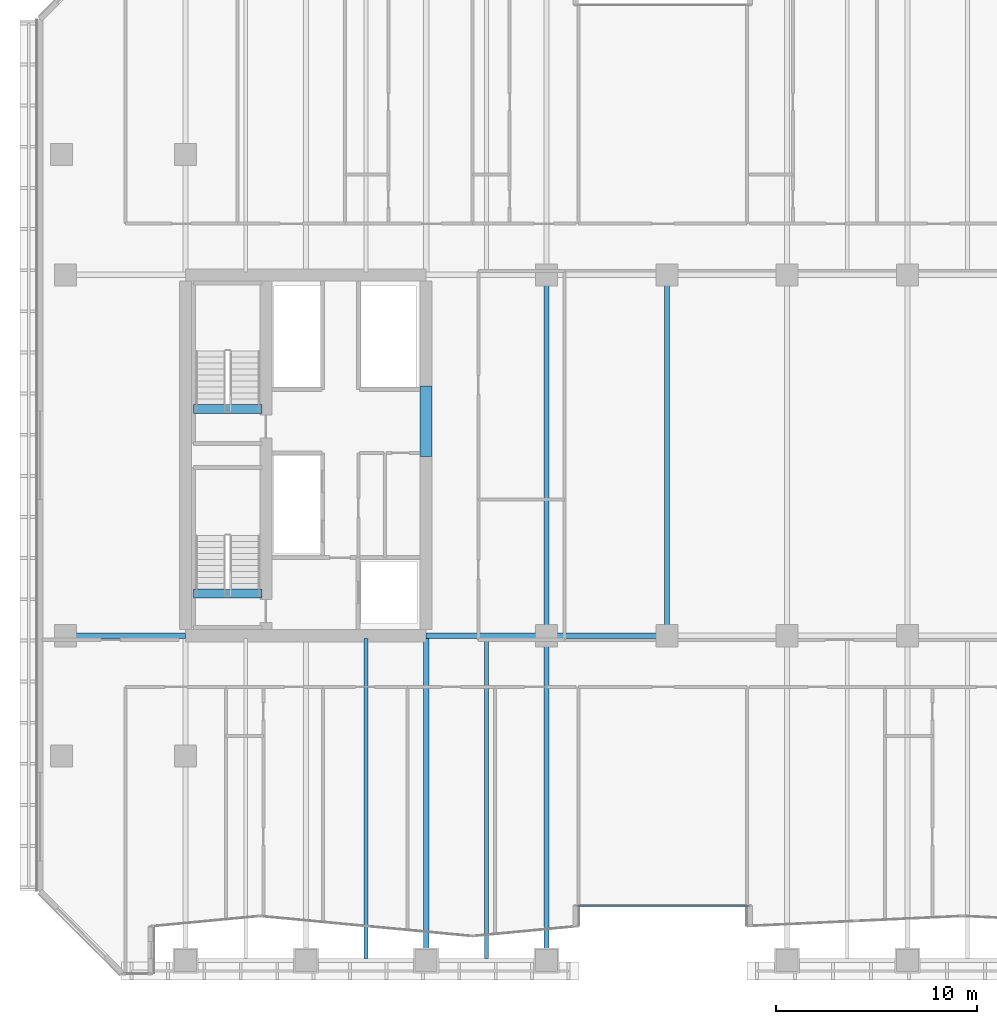
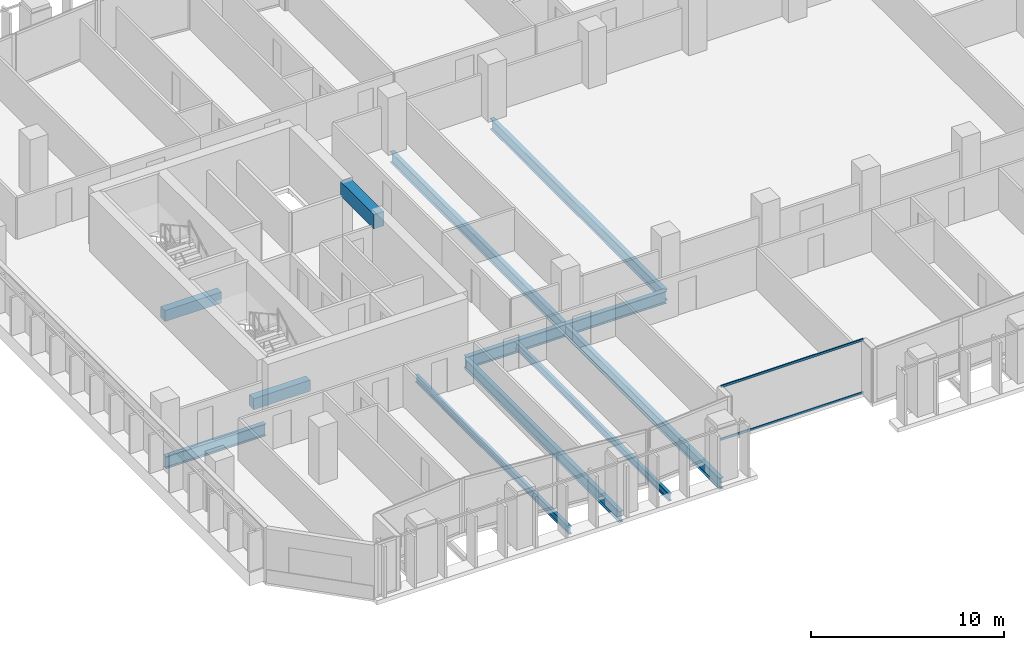
# One storey, part 4 of 32: 12 beams, 2 members, 1 element without a shape of its own.
"""IFC4 building model written with IfcOpenShell, lengths in metres."""

from ifc_helpers import new_model, si_unit, direction, frame, origin, origin_2d, place, context, subcontext, project, spatial, rectangle, hollow_rectangle, i_section, extrude, material, layer, layer_set, material_profile, profile_set, type_object, element, aggregate, save


model = new_model("IFC4")

# Units and contexts
model_context = context("Model", 3, precision=1e-05, world=origin(), true_north=direction((0.0, 1.0)))
body_context = subcontext(model_context, "Body", "Model", "MODEL_VIEW")
ifc_project = project(units=[si_unit("LENGTHUNIT", "METRE"), si_unit("AREAUNIT", "SQUARE_METRE"), si_unit("VOLUMEUNIT", "CUBIC_METRE"), si_unit("PLANEANGLEUNIT", "RADIAN"), si_unit("MASSUNIT", "GRAM", prefix="KILO")], contexts=[model_context])

# Site, building, storey
site_placement = place(None, origin())
site = spatial("IfcSite", under=ifc_project, at=site_placement, CompositionType="ELEMENT")
building_placement = place(site_placement, origin())
building = spatial("IfcBuilding", under=site, at=building_placement, Name="Tanjung Sevakor Pilgrim Tower", CompositionType="ELEMENT")
storey_placement = place(building_placement, frame((0.0, 0.0, 62.3701171875)))
storey = spatial("IfcBuildingStorey", under=building, at=storey_placement, Name="L17", CompositionType="ELEMENT", Elevation=62.3701171875)

# Beams
ifc_material_1 = material(Name="Steel S355J2", Category="steel")
ifc_material_profile_1 = material_profile(ifc_material_1, i_section(OverallWidth=0.26806640625, OverallDepth=0.769775390625, WebThickness=0.015625, FlangeThickness=0.025390625, FilletRadius=0.0166015625, at=origin_2d()))
ifc_profile_set_1 = profile_set([ifc_material_profile_1], Name="Steel S355J2")
beam_type_1 = type_object("IfcBeamType", Name="BM-B-G1-UB_762x267x197", PredefinedType="BEAM", material=ifc_profile_set_1)
for number, where, z_axis, x_axis, name in (
    (1, (18.0, 24.60009765625, -0.60498046875), (1.0, 0.0, 0.0), (0.0, 1.0, 0.0), "L17 Primary Floor Girder MAIN Y246-01"),
    (2, (36.0, 24.60009765625, -0.60498046875), (1.0, 0.0, 0.0), (0.0, 1.0, 0.0), "L17 Primary Floor Girder MAIN Y246-02"),
    (3, (42.0, 24.60009765625, -0.60498046875), (1.0, 0.0, 0.0), (0.0, 1.0, 0.0), "L17 Primary Floor Girder MAIN Y246-03"),
):
    element("IfcBeam", number, at=place(storey_placement, frame(where, z_axis=z_axis, x_axis=x_axis)), inside=storey, type_object=beam_type_1, Name=name, PredefinedType="BEAM", context=body_context, shape_type="SweptSolid", body=[
        extrude(i_section(OverallWidth=0.26806640625, OverallDepth=0.769775390625, WebThickness=0.015625, FlangeThickness=0.025390625, FilletRadius=0.0166015625, at=origin_2d()), origin(), (0.0, 0.0, 1.0), 6.0),
    ])
ifc_material_2 = material(Name="Steel S355J2", Category="steel")
ifc_material_profile_2 = material_profile(ifc_material_2, i_section(OverallWidth=0.25439453125, OverallDepth=0.6875, WebThickness=0.01318359375, FlangeThickness=0.02099609375, FilletRadius=0.01513671875, at=origin_2d()))
ifc_profile_set_2 = profile_set([ifc_material_profile_2], Name="Steel S355J2")
beam_type_2 = type_object("IfcBeamType", Name="BM-B-G2-UB_686x254x152", PredefinedType="BEAM", material=ifc_profile_set_2)
beam_1_placement = place(storey_placement, frame((36.0, 8.39990234375, -0.56396484375), z_axis=(0.0, 1.0, 0.0), x_axis=(-1.0, 0.0, 0.0)))
element("IfcBeam", 4, at=beam_1_placement, inside=storey, type_object=beam_type_2, Name="L17 MAIN Girder 009", PredefinedType="BEAM", context=body_context, shape_type="SweptSolid", body=[
    extrude(i_section(OverallWidth=0.25439453125, OverallDepth=0.6875, WebThickness=0.01318359375, FlangeThickness=0.02099609375, FilletRadius=0.01513671875, at=origin_2d()), origin(), (0.0, 0.0, 1.0), 16.066162109375),
])
beam_2_placement = place(storey_placement, frame((42.0, 8.39990234375, -0.56396484375), z_axis=(0.0, 1.0, 0.0), x_axis=(-1.0, 0.0, 0.0)))
element("IfcBeam", 5, at=beam_2_placement, inside=storey, type_object=beam_type_2, Name="L17 MAIN Girder 013", PredefinedType="BEAM", context=body_context, shape_type="SweptSolid", body=[
    extrude(i_section(OverallWidth=0.25439453125, OverallDepth=0.6875, WebThickness=0.01318359375, FlangeThickness=0.02099609375, FilletRadius=0.01513671875, at=origin_2d()), origin(), (0.0, 0.0, 1.0), 16.2001953125),
])
for number, where, z_axis, x_axis, name in (
    (6, (42.0, 24.60009765625, -0.56396484375), (0.0, 1.0, 0.0), (-1.0, 0.0, 0.0), "L17 MAIN Girder 014"),
    (7, (48.0, 24.60009765625, -0.56396484375), (0.0, 1.0, 0.0), (-1.0, 0.0, 0.0), "L17 MAIN Girder 016"),
):
    element("IfcBeam", number, at=place(storey_placement, frame(where, z_axis=z_axis, x_axis=x_axis)), inside=storey, type_object=beam_type_2, Name=name, PredefinedType="BEAM", context=body_context, shape_type="SweptSolid", body=[
        extrude(i_section(OverallWidth=0.25439453125, OverallDepth=0.6875, WebThickness=0.01318359375, FlangeThickness=0.02099609375, FilletRadius=0.01513671875, at=origin_2d()), origin(), (0.0, 0.0, 1.0), 18.0),
    ])
ifc_material_3 = material(Name="Steel S355J2", Category="steel")
ifc_material_profile_3 = material_profile(ifc_material_3, i_section(OverallWidth=0.19140625, OverallDepth=0.4599609375, WebThickness=0.010009765625, FlangeThickness=0.01611328125, FilletRadius=0.01025390625, at=origin_2d()))
ifc_profile_set_3 = profile_set([ifc_material_profile_3], Name="Steel S355J2")
beam_type_3 = type_object("IfcBeamType", Name="BM-B-J2-UB_457x191x82", PredefinedType="JOIST", material=ifc_profile_set_3)
for number, where, z_axis, x_axis, name in (
    (8, (33.0, 8.5, -0.4501953125), (0.0, 1.0, 0.0), (-1.0, 0.0, 0.0), "L17 MAIN Joist 007"),
    (9, (39.0, 8.5, -0.4501953125), (0.0, 1.0, 0.0), (-1.0, 0.0, 0.0), "L17 MAIN Joist 011"),
):
    element("IfcBeam", number, at=place(storey_placement, frame(where, z_axis=z_axis, x_axis=x_axis)), inside=storey, type_object=beam_type_3, Name=name, PredefinedType="JOIST", context=body_context, shape_type="SweptSolid", body=[
        extrude(i_section(OverallWidth=0.19140625, OverallDepth=0.4599609375, WebThickness=0.010009765625, FlangeThickness=0.01611328125, FilletRadius=0.01025390625, at=origin_2d()), origin(), (0.0, 0.0, 1.0), 15.966064453125),
    ])
ifc_material_4 = material(Name="Concrete C60/75", Category="concrete")
ifc_material_profile_4 = material_profile(ifc_material_4, rectangle(XDim=0.60009765625, YDim=0.89990234375, at=origin_2d()))
ifc_profile_set_4 = profile_set([ifc_material_profile_4], Name="Concrete C60/75")
beam_type_4 = type_object("IfcBeamType", Name="BM-B-LN1-RC-BM_600x900", PredefinedType="LINTEL", material=ifc_profile_set_4)
beam_3_placement = place(storey_placement, frame((36.0, 33.550048828125, 2.9599609375), z_axis=(0.0, 1.0, 0.0), x_axis=(-1.0, 0.0, 0.0)))
element("IfcBeam", 10, at=beam_3_placement, inside=storey, type_object=beam_type_4, Name="L17 W Core Coupling Lintel", PredefinedType="LINTEL", context=body_context, shape_type="SweptSolid", body=[
    extrude(rectangle(XDim=0.60009765625, YDim=0.89990234375, at=origin_2d()), origin(), (0.0, 0.0, 1.0), 3.5),
])
ifc_material_5 = material(Name="Concrete C60/75", Category="concrete")
ifc_material_profile_5 = material_profile(ifc_material_5, rectangle(XDim=0.449951171875, YDim=0.699951171875, at=origin_2d()))
ifc_profile_set_5 = profile_set([ifc_material_profile_5], Name="Concrete C60/75")
beam_type_5 = type_object("IfcBeamType", Name="BM-B-LN3-RC-BM_450x700", PredefinedType="LINTEL", material=ifc_profile_set_5)
for number, where, z_axis, x_axis, name in (
    (11, (24.39990234375, 26.699951171875, -0.35009765625), (1.0, 0.0, 0.0), (0.0, 1.0, 0.0), "L17 TS-W1 Stair Threshold Beam"),
    (12, (24.39990234375, 35.89990234375, -0.35009765625), (1.0, 0.0, 0.0), (0.0, 1.0, 0.0), "L17 TS-W2 Stair Threshold Beam"),
):
    element("IfcBeam", number, at=place(storey_placement, frame(where, z_axis=z_axis, x_axis=x_axis)), inside=storey, type_object=beam_type_5, Name=name, PredefinedType="LINTEL", context=body_context, shape_type="SweptSolid", body=[
        extrude(rectangle(XDim=0.449951171875, YDim=0.699951171875, at=origin_2d()), origin(), (0.0, 0.0, 1.0), 3.400146484375),
    ])

# Curtain wall, members
ifc_material_6 = material(Name="Aluminium 6063-T6 and Low-E Glass", Category="aluminium")
ifc_layer = layer(ifc_material_6, 0.179931640625)
ifc_layer_set = layer_set([ifc_layer], Name="CW-SYS-CLEFT")
curtain_wall_type = type_object("IfcCurtainWallType", Name="CW-SYS-CLEFT", PredefinedType="NOTDEFINED", material=ifc_layer_set)
curtain_wall_placement = place(storey_placement, origin())
curtain_wall = element("IfcCurtainWall", 13, at=curtain_wall_placement, inside=storey, type_object=curtain_wall_type, Name="L17 Curtain Wall CW-CLF-L17-7", PredefinedType="NOTDEFINED")
ifc_material_7 = material(Name="Aluminium 6063-T6", Category="aluminium")
ifc_material_profile_6 = material_profile(ifc_material_7, hollow_rectangle(XDim=0.06494140625, YDim=0.139892578125, WallThickness=0.00390625, at=origin_2d()))
ifc_profile_set_6 = profile_set([ifc_material_profile_6], Name="Aluminium 6063-T6")
member_type = type_object("IfcMemberType", Name="TYPE-CWT-1", PredefinedType="USERDEFINED", material=ifc_profile_set_6)
member_1_placement = place(storey_placement, frame((43.534912109375, 11.139892578125, 0.032470703125), z_axis=(1.0, 0.0, 0.0), x_axis=(0.0, 1.0, 0.0)))
member_1 = element("IfcMember", 14, at=member_1_placement, type_object=member_type, Name="CW-CLF transom 1.1", ObjectType="TRANSOM", PredefinedType="USERDEFINED", context=body_context, shape_type="SweptSolid", body=[
    extrude(hollow_rectangle(XDim=0.06494140625, YDim=0.139892578125, WallThickness=0.00390625, at=origin_2d()), origin(), (0.0, 0.0, 1.0), 8.530029296875),
])
member_2_placement = place(storey_placement, frame((43.534912109375, 11.139892578125, 3.37744140625), z_axis=(1.0, 0.0, 0.0), x_axis=(0.0, 1.0, 0.0)))
member_2 = element("IfcMember", 15, at=member_2_placement, type_object=member_type, Name="CW-CLF transom 1.2", ObjectType="TRANSOM", PredefinedType="USERDEFINED", context=body_context, shape_type="SweptSolid", body=[
    extrude(hollow_rectangle(XDim=0.06494140625, YDim=0.139892578125, WallThickness=0.00390625, at=origin_2d()), origin(), (0.0, 0.0, 1.0), 8.530029296875),
])
aggregate(curtain_wall, [member_1, member_2])

save(model, "model.ifc")
